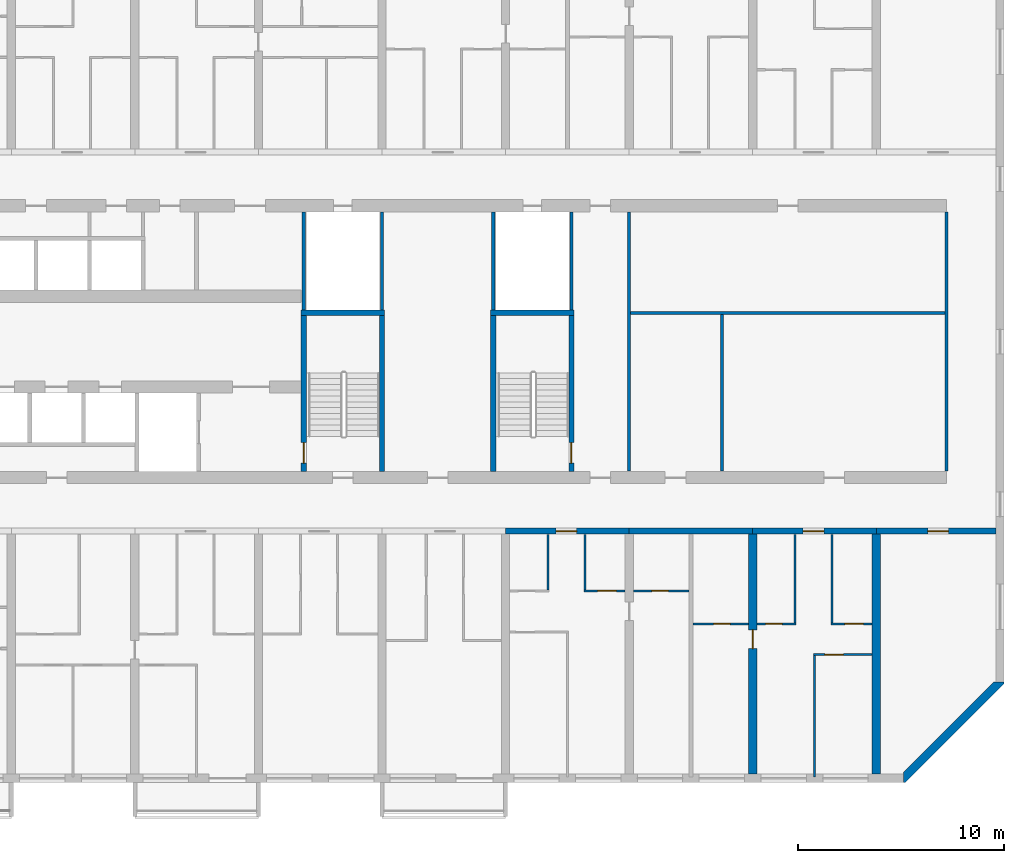
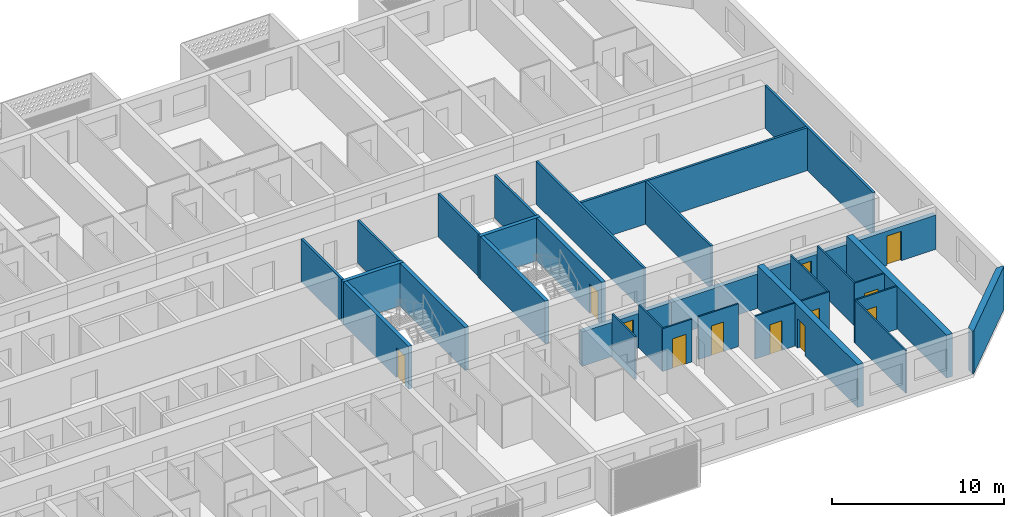
# One storey, part 17 of 44: 32 walls, 12 doors, 12 openings.
"""IFC4 building model written with IfcOpenShell, lengths in metres."""

import ifcopenshell
import ifcopenshell.guid

model = None  # the IFC model being written
_history = None  # IfcOwnerHistory: only IFC2X3 demands one
_inside = {}  # id of a spatial element -> (the spatial element, [elements in it])
_under = {}  # id of a project, library or spatial element -> (it, [spatial elements below it])
_declared = {}  # id of a project -> (the project, [libraries it declares])
_typed = {}  # id of a type object -> (the type object, [elements of that type])
_made_of = {}  # id of a material, layer set ... -> (it, [elements and type objects made of it])


def new_model(schema):
    """Start an empty IFC model of exactly this schema.

    Asked for "IFC4X3", IfcOpenShell would pick the latest addendum, in which some entities
    have other attributes; the version numbers below select the first issue.
    IFC2X3 requires an IfcOwnerHistory on every rooted entity: one is made here for all.
    """
    global model, _history
    if schema == "IFC4X3":
        model = ifcopenshell.file(schema_version=(4, 3, 0, 0))
    else:
        model = ifcopenshell.file(schema=schema)
    _inside.clear()
    _under.clear()
    _declared.clear()
    _typed.clear()
    _made_of.clear()
    _history = None
    if model.schema == "IFC2X3":
        org = make("IfcOrganization", Name="unknown")
        user = make(
            "IfcPersonAndOrganization",
            ThePerson=make("IfcPerson", FamilyName="unknown"),
            TheOrganization=org,
        )
        app = make(
            "IfcApplication",
            ApplicationDeveloper=org,
            Version="unknown",
            ApplicationFullName="unknown",
            ApplicationIdentifier="unknown",
        )
        _history = make(
            "IfcOwnerHistory",
            OwningUser=user,
            OwningApplication=app,
            ChangeAction="ADDED",
            CreationDate=0,
        )
    return model


def make(cls, **values):
    """One entity of the class cls with the attributes given. An attribute that is None is left unset."""
    return model.create_entity(
        cls, **{name: value for name, value in values.items() if value is not None}
    )


def rooted(cls, **values):
    """An entity with a GlobalId (a new one), such as an element, a storey or a relation."""
    return make(cls, GlobalId=ifcopenshell.guid.new(), OwnerHistory=_history, **values)


def si_unit(unit_type, name, prefix=None):
    """IfcSIUnit, for example si_unit("LENGTHUNIT", "METRE", prefix="MILLI")."""
    return make("IfcSIUnit", UnitType=unit_type, Prefix=prefix, Name=name)


def assignment(units):
    """IfcUnitAssignment: the units of a project."""
    return None if units is None else make("IfcUnitAssignment", Units=units)


def point(xyz):
    """IfcCartesianPoint."""
    return None if xyz is None else make("IfcCartesianPoint", Coordinates=xyz)


def direction(xyz):
    """IfcDirection."""
    return None if xyz is None else make("IfcDirection", DirectionRatios=xyz)


def frame(location, z_axis=None, x_axis=None):
    """IfcAxis2Placement3D, a coordinate frame: its origin and axes. An axis left out is left unset."""
    return make(
        "IfcAxis2Placement3D",
        Location=point(location),
        Axis=direction(z_axis),
        RefDirection=direction(x_axis),
    )


def frame_2d(location, x_axis=None):
    """IfcAxis2Placement2D, a coordinate frame in the plane: its origin and x axis."""
    return make(
        "IfcAxis2Placement2D", Location=point(location), RefDirection=direction(x_axis)
    )


def origin():
    """The frame at (0, 0, 0) with its axes left unset."""
    return frame((0.0, 0.0, 0.0))


def place(relative_to, where):
    """IfcLocalPlacement: puts the frame where relative to a parent placement (None: the world)."""
    return make(
        "IfcLocalPlacement", PlacementRelTo=relative_to, RelativePlacement=where
    )


def context(
    kind, dimensions, precision=None, world=None, true_north=None, identifier=None
):
    """IfcGeometricRepresentationContext, for example the 3D "Model" context."""
    return make(
        "IfcGeometricRepresentationContext",
        ContextIdentifier=identifier,
        ContextType=kind,
        CoordinateSpaceDimension=dimensions,
        Precision=precision,
        WorldCoordinateSystem=world,
        TrueNorth=true_north,
    )


def subcontext(parent, identifier, kind, view, scale=None):
    """IfcGeometricRepresentationSubContext, for example "Body" below "Model"."""
    return make(
        "IfcGeometricRepresentationSubContext",
        ContextIdentifier=identifier,
        ContextType=kind,
        ParentContext=parent,
        TargetScale=scale,
        TargetView=view,
    )


def project(units=None, contexts=None):
    """IfcProject with its units and contexts."""
    return rooted(
        "IfcProject",
        Name="project",
        RepresentationContexts=contexts,
        UnitsInContext=assignment(units),
    )


def spatial(cls, under=None, at=None, **own):
    """A site, building, storey or space (cls), placed at a placement, below another one or the project."""
    s = rooted(cls, ObjectPlacement=at, **own)
    if under is not None:
        _under.setdefault(under.id(), (under, []))[1].append(s)
    return s


def polyline(points):
    """IfcPolyline through the points."""
    return make("IfcPolyline", Points=[point(p) for p in points])


def profile(cls, at=None, kind="AREA", **sizes):
    """A parametric profile (cls). Its sizes go by their IFC names, for example OverallWidth=200.0."""
    return make(cls, ProfileType=kind, Position=at, **sizes)


def rectangle(**sizes):
    """IfcRectangleProfileDef."""
    return profile("IfcRectangleProfileDef", **sizes)


def outline(outer, holes=None, kind="AREA"):
    """IfcArbitraryClosedProfileDef: a profile drawn as a closed curve; with holes, ...WithVoids."""
    if holes is None:
        return make("IfcArbitraryClosedProfileDef", ProfileType=kind, OuterCurve=outer)
    return make(
        "IfcArbitraryProfileDefWithVoids",
        ProfileType=kind,
        OuterCurve=outer,
        InnerCurves=holes,
    )


def extrude(swept, where, along, depth):
    """IfcExtrudedAreaSolid: the profile swept, set in the frame where, extruded along a direction by depth."""
    return make(
        "IfcExtrudedAreaSolid",
        SweptArea=swept,
        Position=where,
        ExtrudedDirection=direction(along),
        Depth=depth,
    )


def shape(context_of_items, identifier, shape_type, items):
    """IfcShapeRepresentation: the items that make up one representation, for example the "Body"."""
    return make(
        "IfcShapeRepresentation",
        ContextOfItems=context_of_items,
        RepresentationIdentifier=identifier,
        RepresentationType=shape_type,
        Items=items,
    )


def material(Name=None, Category=None):
    """IfcMaterial."""
    return make("IfcMaterial", Name=Name, Category=Category)


def layer(
    of_material, thickness, ventilated=None, Name=None, Category=None, Priority=None
):
    """IfcMaterialLayer: one layer of a wall or slab, of a material (None: an air gap)."""
    return make(
        "IfcMaterialLayer",
        Material=of_material,
        LayerThickness=thickness,
        IsVentilated=ventilated,
        Name=Name,
        Category=Category,
        Priority=Priority,
    )


def layer_set(layers, Name=None):
    """IfcMaterialLayerSet."""
    return make("IfcMaterialLayerSet", MaterialLayers=layers, LayerSetName=Name)


def made_of(thing, what):
    """Note that an element or type object is made of a material, layer set ...; save() writes the relation."""
    if what is not None:
        _made_of.setdefault(what.id(), (what, []))[1].append(thing)
    return thing


def type_object(cls, material=None, **own):
    """A type object (cls), such as IfcWallType, which elements share."""
    return made_of(rooted(cls, **own), material)


def element(
    cls,
    number,
    at=None,
    inside=None,
    cuts=None,
    type_object=None,
    material=None,
    context=None,
    identifier="Body",
    shape_type=None,
    held_by="IfcProductDefinitionShape",
    body=None,
    shapes=None,
    **own,
):
    """One element of the class cls, such as IfcWall. Its Tag is "e" and its number.

    at: its placement. inside: the storey or other place that contains it. cuts: it is an
    opening in that element (IfcRelVoidsElement). A single representation is given by context,
    identifier, shape_type and body (its items); several are given by shapes. held_by: the class
    of the entity that holds the representations. save() writes the other relations.
    """
    e = rooted(cls, Tag="e%d" % number, ObjectPlacement=at, **own)
    if body is not None:
        shapes = [shape(context, identifier, shape_type, body)]
    if shapes is not None:
        e.Representation = make(held_by, Representations=shapes)
    if inside is not None:
        _inside.setdefault(inside.id(), (inside, []))[1].append(e)
    if cuts is not None:
        rooted(
            "IfcRelVoidsElement", RelatingBuildingElement=cuts, RelatedOpeningElement=e
        )
    if type_object is not None:
        _typed.setdefault(type_object.id(), (type_object, []))[1].append(e)
    return made_of(e, material)


def fill(opening, filler):
    """IfcRelFillsElement: the door or window that sits in an opening."""
    return rooted(
        "IfcRelFillsElement",
        RelatingOpeningElement=opening,
        RelatedBuildingElement=filler,
    )


def aggregate(whole, parts):
    """IfcRelAggregates: a whole, such as a stair, and the parts it consists of."""
    return rooted("IfcRelAggregates", RelatingObject=whole, RelatedObjects=parts)


def save(model, path):
    """Write the relations noted so far, then the file.

    IfcRelAggregates (storeys below a building ...), IfcRelContainedInSpatialStructure (elements
    in a storey), IfcRelDefinesByType, IfcRelAssociatesMaterial and IfcRelDeclares: one each for
    every whole, place, type object, material and project.
    """
    for whole, parts in _under.values():
        aggregate(whole, parts)
    for where, things in _inside.values():
        rooted(
            "IfcRelContainedInSpatialStructure",
            RelatedElements=things,
            RelatingStructure=where,
        )
    for kind, things in _typed.values():
        rooted("IfcRelDefinesByType", RelatedObjects=things, RelatingType=kind)
    for what, things in _made_of.values():
        rooted("IfcRelAssociatesMaterial", RelatedObjects=things, RelatingMaterial=what)
    for by, libraries in _declared.values():
        rooted("IfcRelDeclares", RelatingContext=by, RelatedDefinitions=libraries)
    model.write(path)


model = new_model("IFC4")

# Units and contexts
model_context = context("Model", 3, precision=1e-05, world=origin(), true_north=direction((0.0, 1.0)))
body_context = subcontext(model_context, "Body", "Model", "MODEL_VIEW")
ifc_project = project(units=[si_unit("LENGTHUNIT", "METRE"), si_unit("AREAUNIT", "SQUARE_METRE"), si_unit("VOLUMEUNIT", "CUBIC_METRE"), si_unit("PLANEANGLEUNIT", "RADIAN"), si_unit("MASSUNIT", "GRAM", prefix="KILO")], contexts=[model_context])

# Site, building, storey
site_placement = place(None, origin())
site = spatial("IfcSite", under=ifc_project, at=site_placement, CompositionType="ELEMENT")
building_placement = place(site_placement, origin())
building = spatial("IfcBuilding", under=site, at=building_placement, Name="Poui Terraces", CompositionType="ELEMENT")
storey_placement = place(building_placement, frame((0.0, 0.0, 30.0)))
storey = spatial("IfcBuildingStorey", under=building, at=storey_placement, Name="L07", CompositionType="ELEMENT", Elevation=30.0)

# Walls
ifc_material_1 = material(Name="Fire-rated plasterboard wall")
ifc_layer_1 = layer(ifc_material_1, 0.14990234375)
ifc_layer_set_1 = layer_set([ifc_layer_1], Name="Fire-rated plasterboard wall")
wall_type_1 = type_object("IfcWallType", Name="CORRIDOR WALL 150", PredefinedType="PARTITIONING", material=ifc_layer_set_1)
for number, where, z_axis, x_axis, name in (
    (1, (84.0, 14.909912109375, 0.0), (0.0, 0.0, 1.0), (0.0, 1.0, 0.0), "CORRIDOR WALL 150"),
    (2, (99.39990234375, 14.909912109375, 0.0), (0.0, 0.0, 1.0), (0.0, 1.0, 0.0), "CORRIDOR WALL 150"),
):
    element("IfcWall", number, at=place(storey_placement, frame(where, z_axis=z_axis, x_axis=x_axis)), inside=storey, type_object=wall_type_1, Name=name, PredefinedType="PARTITIONING", context=body_context, shape_type="SweptSolid", body=[
        extrude(rectangle(XDim=12.580078125, YDim=0.14990234375, at=frame_2d((6.2900390625, 0.0))), origin(), (0.0, 0.0, 1.0), 3.050048828125),
    ])

# Wall, opening, door
ifc_material_2 = material(Name="Concrete 80 MPa", Category="concrete")
ifc_layer_2 = layer(ifc_material_2, 0.300048828125)
ifc_layer_set_2 = layer_set([ifc_layer_2], Name="Concrete 80 MPa")
wall_type_2 = type_object("IfcWallType", Name="CORRIDOR WALL 300 80MPa", PredefinedType="SHEAR", material=ifc_layer_set_2)
wall_1_placement = place(storey_placement, frame((78.0, 12.0, 0.0), z_axis=(0.0, 0.0, 1.0), x_axis=(1.0, 0.0, 0.0)))
wall_1 = element("IfcWall", 3, at=wall_1_placement, inside=storey, type_object=wall_type_2, Name="CORRIDOR WALL LINE B BAY 14", PredefinedType="SHEAR", context=body_context, shape_type="SweptSolid", body=[
    extrude(rectangle(XDim=6.0, YDim=0.300048828125, at=frame_2d((3.0, 0.0))), origin(), (0.0, 0.0, 1.0), 2.449951171875),
])
opening_1_placement = place(wall_1_placement, frame((2.449951171875, 0.0, 0.0)))
opening_1 = element("IfcOpeningElement", 4, at=opening_1_placement, cuts=wall_1, Name="Opening FD30S", PredefinedType="OPENING", context=body_context, shape_type="SweptSolid", body=[
    extrude(rectangle(XDim=1.0, YDim=2.10009765625, at=frame_2d((0.5, 1.050048828125))), frame((0.0, 0.16015625, 0.0), z_axis=(0.0, -1.0, 0.0), x_axis=(1.0, 0.0, 0.0)), (0.0, 0.0, 1.0), 0.320068359375),
])
ifc_material_3 = material(Name="Steel fire door", Category="steel")
door_type_1 = type_object("IfcDoorType", Name="FLAT ENTRANCE DOOR 1000 X 2100", OperationType="NOTDEFINED", PredefinedType="DOOR", material=ifc_material_3)
door_1_placement = place(opening_1_placement, frame((1.0, 0.0, 0.0), z_axis=(0.0, 0.0, 1.0), x_axis=(-1.0, 0.0, 0.0)))
door_1 = element("IfcDoor", 5, at=door_1_placement, inside=storey, type_object=door_type_1, Name="FLAT ENTRANCE DOOR 141", OperationType="SINGLE_SWING_RIGHT", OverallHeight=2.10009765625, OverallWidth=1.0, PredefinedType="DOOR", context=body_context, shape_type="SweptSolid", body=[
    extrude(rectangle(XDim=1.0, YDim=2.10009765625, at=frame_2d((0.5, 1.050048828125))), frame((0.0, 0.02490234375, 0.0), z_axis=(0.0, -1.0, 0.0), x_axis=(1.0, 0.0, 0.0)), (0.0, 0.0, 1.0), 0.050048828125),
])
fill(opening_1, door_1)

# Wall
wall_2_placement = place(storey_placement, frame((84.0, 12.0, 0.0), z_axis=(0.0, 0.0, 1.0), x_axis=(1.0, 0.0, 0.0)))
element("IfcWall", 6, at=wall_2_placement, inside=storey, type_object=wall_type_2, Name="CORRIDOR WALL LINE B BAY 15", PredefinedType="SHEAR", context=body_context, shape_type="SweptSolid", body=[
    extrude(rectangle(XDim=6.0, YDim=0.300048828125, at=frame_2d((3.0, 0.0))), origin(), (0.0, 0.0, 1.0), 2.449951171875),
])

# Wall, opening, door
wall_3_placement = place(storey_placement, frame((90.0, 12.0, 0.0), z_axis=(0.0, 0.0, 1.0), x_axis=(1.0, 0.0, 0.0)))
wall_3 = element("IfcWall", 7, at=wall_3_placement, inside=storey, type_object=wall_type_2, Name="CORRIDOR WALL LINE B BAY 16", PredefinedType="SHEAR", context=body_context, shape_type="SweptSolid", body=[
    extrude(rectangle(XDim=6.0, YDim=0.300048828125, at=frame_2d((3.0, 0.0))), origin(), (0.0, 0.0, 1.0), 2.449951171875),
])
opening_2_placement = place(wall_3_placement, frame((2.449951171875, 0.0, 0.0)))
opening_2 = element("IfcOpeningElement", 8, at=opening_2_placement, cuts=wall_3, Name="Opening FD30S", PredefinedType="OPENING", context=body_context, shape_type="SweptSolid", body=[
    extrude(rectangle(XDim=1.0, YDim=2.10009765625, at=frame_2d((0.5, 1.050048828125))), frame((0.0, 0.16015625, 0.0), z_axis=(0.0, -1.0, 0.0), x_axis=(1.0, 0.0, 0.0)), (0.0, 0.0, 1.0), 0.320068359375),
])
door_2_placement = place(opening_2_placement, frame((1.0, 0.0, 0.0), z_axis=(0.0, 0.0, 1.0), x_axis=(-1.0, 0.0, 0.0)))
door_2 = element("IfcDoor", 9, at=door_2_placement, inside=storey, type_object=door_type_1, Name="FLAT ENTRANCE DOOR 147", OperationType="SINGLE_SWING_RIGHT", OverallHeight=2.10009765625, OverallWidth=1.0, PredefinedType="DOOR", context=body_context, shape_type="SweptSolid", body=[
    extrude(rectangle(XDim=1.0, YDim=2.10009765625, at=frame_2d((0.5, 1.050048828125))), frame((0.0, 0.02490234375, 0.0), z_axis=(0.0, -1.0, 0.0), x_axis=(1.0, 0.0, 0.0)), (0.0, 0.0, 1.0), 0.050048828125),
])
fill(opening_2, door_2)

wall_4_placement = place(storey_placement, frame((96.0, 12.0, 0.0), z_axis=(0.0, 0.0, 1.0), x_axis=(1.0, 0.0, 0.0)))
wall_4 = element("IfcWall", 10, at=wall_4_placement, inside=storey, type_object=wall_type_2, Name="CORRIDOR WALL LINE B BAY 17", PredefinedType="SHEAR", context=body_context, shape_type="SweptSolid", body=[
    extrude(rectangle(XDim=5.800048828125, YDim=0.300048828125, at=frame_2d((2.89990234375, 0.0))), origin(), (0.0, 0.0, 1.0), 2.449951171875),
])
opening_3_placement = place(wall_4_placement, frame((2.5, 0.0, 0.0)))
opening_3 = element("IfcOpeningElement", 11, at=opening_3_placement, cuts=wall_4, Name="Opening D100", PredefinedType="OPENING", context=body_context, shape_type="SweptSolid", body=[
    extrude(rectangle(XDim=1.0, YDim=2.10009765625, at=frame_2d((0.5, 1.050048828125))), frame((0.0, 0.16015625, 0.0), z_axis=(0.0, -1.0, 0.0), x_axis=(1.0, 0.0, 0.0)), (0.0, 0.0, 1.0), 0.320068359375),
])
ifc_material_4 = material(Name="Solid core timber door", Category="wood")
door_type_2 = type_object("IfcDoorType", Name="ACCESSIBLE INTERNAL DOOR 1000 X 2100", OperationType="NOTDEFINED", PredefinedType="DOOR", material=ifc_material_4)
door_3_placement = place(opening_3_placement, frame((1.0, 0.0, 0.0), z_axis=(0.0, 0.0, 1.0), x_axis=(-1.0, 0.0, 0.0)))
door_3 = element("IfcDoor", 12, at=door_3_placement, inside=storey, type_object=door_type_2, Name="ACCESSIBLE INTERNAL DOOR 150", OperationType="SINGLE_SWING_RIGHT", OverallHeight=2.10009765625, OverallWidth=1.0, PredefinedType="DOOR", context=body_context, shape_type="SweptSolid", body=[
    extrude(rectangle(XDim=1.0, YDim=2.10009765625, at=frame_2d((0.5, 1.050048828125))), frame((0.0, 0.02490234375, 0.0), z_axis=(0.0, -1.0, 0.0), x_axis=(1.0, 0.0, 0.0)), (0.0, 0.0, 1.0), 0.050048828125),
])
fill(opening_3, door_3)

ifc_layer_3 = layer(ifc_material_2, 0.39990234375)
ifc_layer_set_3 = layer_set([ifc_layer_3], Name="Concrete 80 MPa")
wall_type_3 = type_object("IfcWallType", Name="CROSS WALL 400 80MPa", PredefinedType="SHEAR", material=ifc_layer_set_3)
wall_5_placement = place(storey_placement, frame((90.0, 0.199951171875, 0.0), z_axis=(0.0, 0.0, 1.0), x_axis=(0.0, 1.0, 0.0)))
wall_5 = element("IfcWall", 13, at=wall_5_placement, inside=storey, type_object=wall_type_3, Name="CROSS WALL LINE 16 SOUTH", PredefinedType="SHEAR", context=body_context, shape_type="SweptSolid", body=[
    extrude(rectangle(XDim=11.650146484375, YDim=0.39990234375, at=frame_2d((5.8251953125, 0.0))), origin(), (0.0, 0.0, 1.0), 3.050048828125),
])
opening_4_placement = place(wall_5_placement, frame((6.10009765625, 0.0, 0.0)))
opening_4 = element("IfcOpeningElement", 14, at=opening_4_placement, cuts=wall_5, Name="Opening D90", PredefinedType="OPENING", context=body_context, shape_type="SweptSolid", body=[
    extrude(rectangle(XDim=0.89990234375, YDim=2.10009765625, at=frame_2d((0.449951171875, 1.050048828125))), frame((0.0, 0.2099609375, 0.0), z_axis=(0.0, -1.0, 0.0), x_axis=(1.0, 0.0, 0.0)), (0.0, 0.0, 1.0), 0.419921875),
])
door_type_3 = type_object("IfcDoorType", Name="INTERNAL DOOR 900 X 2100", OperationType="NOTDEFINED", PredefinedType="DOOR", material=ifc_material_4)
door_4_placement = place(opening_4_placement, origin())
door_4 = element("IfcDoor", 15, at=door_4_placement, inside=storey, type_object=door_type_3, Name="INTERNAL DOOR 145", OperationType="SINGLE_SWING_RIGHT", OverallHeight=2.10009765625, OverallWidth=0.89990234375, PredefinedType="DOOR", context=body_context, shape_type="SweptSolid", body=[
    extrude(rectangle(XDim=0.89990234375, YDim=2.10009765625, at=frame_2d((0.449951171875, 1.050048828125))), frame((0.0, 0.02490234375, 0.0), z_axis=(0.0, -1.0, 0.0), x_axis=(1.0, 0.0, 0.0)), (0.0, 0.0, 1.0), 0.050048828125),
])
fill(opening_4, door_4)

# Wall
wall_6_placement = place(storey_placement, frame((96.0, 0.199951171875, 0.0), z_axis=(0.0, 0.0, 1.0), x_axis=(0.0, 1.0, 0.0)))
element("IfcWall", 16, at=wall_6_placement, inside=storey, type_object=wall_type_3, Name="CROSS WALL LINE 17 SOUTH", PredefinedType="SHEAR", context=body_context, shape_type="SweptSolid", body=[
    extrude(rectangle(XDim=11.650146484375, YDim=0.39990234375, at=frame_2d((5.8251953125, 0.0))), origin(), (0.0, 0.0, 1.0), 3.050048828125),
])

# Wall, opening, door
ifc_material_5 = material(Name="Plasterboard partition")
ifc_layer_4 = layer(ifc_material_5, 0.10009765625)
ifc_layer_set_4 = layer_set([ifc_layer_4], Name="Plasterboard partition")
wall_type_4 = type_object("IfcWallType", Name="FLAT PARTITION 100", PredefinedType="PARTITIONING", material=ifc_layer_set_4)
wall_7_placement = place(storey_placement, frame((92.949951171875, 6.0, 0.0), z_axis=(0.0, 0.0, 1.0), x_axis=(1.0, 0.0, 0.0)))
wall_7 = element("IfcWall", 17, at=wall_7_placement, inside=storey, type_object=wall_type_4, Name="FLAT PARTITION 100", PredefinedType="PARTITIONING", context=body_context, shape_type="SweptSolid", body=[
    extrude(rectangle(XDim=2.840087890625, YDim=0.10009765625, at=frame_2d((1.419921875, 0.0))), origin(), (0.0, 0.0, 1.0), 3.050048828125),
])
opening_5_placement = place(wall_7_placement, frame((0.550048828125, 0.0, 0.0)))
opening_5 = element("IfcOpeningElement", 18, at=opening_5_placement, cuts=wall_7, Name="Opening D90", PredefinedType="OPENING", context=body_context, shape_type="SweptSolid", body=[
    extrude(rectangle(XDim=0.89990234375, YDim=2.10009765625, at=frame_2d((0.449951171875, 1.050048828125))), frame((0.0, 0.06005859375, 0.0), z_axis=(0.0, -1.0, 0.0), x_axis=(1.0, 0.0, 0.0)), (0.0, 0.0, 1.0), 0.1201171875),
])
door_5_placement = place(opening_5_placement, origin())
door_5 = element("IfcDoor", 19, at=door_5_placement, inside=storey, type_object=door_type_3, Name="INTERNAL DOOR 148", OperationType="SINGLE_SWING_RIGHT", OverallHeight=2.10009765625, OverallWidth=0.89990234375, PredefinedType="DOOR", context=body_context, shape_type="SweptSolid", body=[
    extrude(rectangle(XDim=0.89990234375, YDim=2.10009765625, at=frame_2d((0.449951171875, 1.050048828125))), frame((0.0, 0.02490234375, 0.0), z_axis=(0.0, -1.0, 0.0), x_axis=(1.0, 0.0, 0.0)), (0.0, 0.0, 1.0), 0.050048828125),
])
fill(opening_5, door_5)

wall_8_placement = place(storey_placement, frame((87.10009765625, 7.5, 0.0), z_axis=(0.0, 0.0, 1.0), x_axis=(1.0, 0.0, 0.0)))
wall_8 = element("IfcWall", 20, at=wall_8_placement, inside=storey, type_object=wall_type_4, Name="FLAT PARTITION 100", PredefinedType="PARTITIONING", context=body_context, shape_type="SweptSolid", body=[
    extrude(rectangle(XDim=2.68994140625, YDim=0.10009765625, at=frame_2d((1.344970703125, 0.0))), origin(), (0.0, 0.0, 1.0), 3.050048828125),
])
opening_6_placement = place(wall_8_placement, frame((1.0, 0.0, 0.0)))
opening_6 = element("IfcOpeningElement", 21, at=opening_6_placement, cuts=wall_8, Name="Opening D80", PredefinedType="OPENING", context=body_context, shape_type="SweptSolid", body=[
    extrude(rectangle(XDim=0.800048828125, YDim=2.10009765625, at=frame_2d((0.39990234375, 1.050048828125))), frame((0.0, 0.06005859375, 0.0), z_axis=(0.0, -1.0, 0.0), x_axis=(1.0, 0.0, 0.0)), (0.0, 0.0, 1.0), 0.1201171875),
])
door_type_4 = type_object("IfcDoorType", Name="BATHROOM, LAUNDRY AND STORE DOOR 800 X 2100", OperationType="NOTDEFINED", PredefinedType="DOOR", material=ifc_material_4)
door_6_placement = place(opening_6_placement, origin())
door_6 = element("IfcDoor", 22, at=door_6_placement, inside=storey, type_object=door_type_4, Name="BATHROOM, LAUNDRY AND STORE DOOR 144", OperationType="SINGLE_SWING_RIGHT", OverallHeight=2.10009765625, OverallWidth=0.800048828125, PredefinedType="DOOR", context=body_context, shape_type="SweptSolid", body=[
    extrude(rectangle(XDim=0.800048828125, YDim=2.10009765625, at=frame_2d((0.39990234375, 1.050048828125))), frame((0.0, 0.02490234375, 0.0), z_axis=(0.0, -1.0, 0.0), x_axis=(1.0, 0.0, 0.0)), (0.0, 0.0, 1.0), 0.050048828125),
])
fill(opening_6, door_6)

wall_9_placement = place(storey_placement, frame((90.2099609375, 7.5, 0.0), z_axis=(0.0, 0.0, 1.0), x_axis=(1.0, 0.0, 0.0)))
wall_9 = element("IfcWall", 23, at=wall_9_placement, inside=storey, type_object=wall_type_4, Name="FLAT PARTITION 100", PredefinedType="PARTITIONING", context=body_context, shape_type="SweptSolid", body=[
    extrude(rectangle(XDim=1.89013671875, YDim=0.10009765625, at=frame_2d((0.945068359375, 0.0))), origin(), (0.0, 0.0, 1.0), 3.050048828125),
])
opening_7_placement = place(wall_9_placement, frame((0.4150390625, 0.0, 0.0)))
opening_7 = element("IfcOpeningElement", 24, at=opening_7_placement, cuts=wall_9, Name="Opening D80", PredefinedType="OPENING", context=body_context, shape_type="SweptSolid", body=[
    extrude(rectangle(XDim=0.800048828125, YDim=2.10009765625, at=frame_2d((0.39990234375, 1.050048828125))), frame((0.0, 0.06005859375, 0.0), z_axis=(0.0, -1.0, 0.0), x_axis=(1.0, 0.0, 0.0)), (0.0, 0.0, 1.0), 0.1201171875),
])
door_7_placement = place(opening_7_placement, origin())
door_7 = element("IfcDoor", 25, at=door_7_placement, inside=storey, type_object=door_type_4, Name="BATHROOM, LAUNDRY AND STORE DOOR 146", OperationType="SINGLE_SWING_RIGHT", OverallHeight=2.10009765625, OverallWidth=0.800048828125, PredefinedType="DOOR", context=body_context, shape_type="SweptSolid", body=[
    extrude(rectangle(XDim=0.800048828125, YDim=2.10009765625, at=frame_2d((0.39990234375, 1.050048828125))), frame((0.0, 0.02490234375, 0.0), z_axis=(0.0, -1.0, 0.0), x_axis=(1.0, 0.0, 0.0)), (0.0, 0.0, 1.0), 0.050048828125),
])
fill(opening_7, door_7)

wall_10_placement = place(storey_placement, frame((93.800048828125, 7.5, 0.0), z_axis=(0.0, 0.0, 1.0), x_axis=(1.0, 0.0, 0.0)))
wall_10 = element("IfcWall", 26, at=wall_10_placement, inside=storey, type_object=wall_type_4, Name="FLAT PARTITION 100", PredefinedType="PARTITIONING", context=body_context, shape_type="SweptSolid", body=[
    extrude(rectangle(XDim=1.989990234375, YDim=0.10009765625, at=frame_2d((0.9951171875, 0.0))), origin(), (0.0, 0.0, 1.0), 3.050048828125),
])
opening_8_placement = place(wall_10_placement, frame((0.675048828125, 0.0, 0.0)))
opening_8 = element("IfcOpeningElement", 27, at=opening_8_placement, cuts=wall_10, Name="Opening D90", PredefinedType="OPENING", context=body_context, shape_type="SweptSolid", body=[
    extrude(rectangle(XDim=0.89990234375, YDim=2.10009765625, at=frame_2d((0.449951171875, 1.050048828125))), frame((0.0, 0.06005859375, 0.0), z_axis=(0.0, -1.0, 0.0), x_axis=(1.0, 0.0, 0.0)), (0.0, 0.0, 1.0), 0.1201171875),
])
door_8_placement = place(opening_8_placement, origin())
door_8 = element("IfcDoor", 28, at=door_8_placement, inside=storey, type_object=door_type_3, Name="INTERNAL DOOR 149", OperationType="SINGLE_SWING_LEFT", OverallHeight=2.10009765625, OverallWidth=0.89990234375, PredefinedType="DOOR", context=body_context, shape_type="SweptSolid", body=[
    extrude(rectangle(XDim=0.89990234375, YDim=2.10009765625, at=frame_2d((0.449951171875, 1.050048828125))), frame((0.0, 0.02490234375, 0.0), z_axis=(0.0, -1.0, 0.0), x_axis=(1.0, 0.0, 0.0)), (0.0, 0.0, 1.0), 0.050048828125),
])
fill(opening_8, door_8)

wall_11_placement = place(storey_placement, frame((81.800048828125, 9.10009765625, 0.0), z_axis=(0.0, 0.0, 1.0), x_axis=(1.0, 0.0, 0.0)))
wall_11 = element("IfcWall", 29, at=wall_11_placement, inside=storey, type_object=wall_type_4, Name="FLAT PARTITION 100", PredefinedType="PARTITIONING", context=body_context, shape_type="SweptSolid", body=[
    extrude(rectangle(XDim=1.989990234375, YDim=0.10009765625, at=frame_2d((0.9951171875, 0.0))), origin(), (0.0, 0.0, 1.0), 3.050048828125),
])
opening_9_placement = place(wall_11_placement, frame((0.675048828125, 0.0, 0.0)))
opening_9 = element("IfcOpeningElement", 30, at=opening_9_placement, cuts=wall_11, Name="Opening D90", PredefinedType="OPENING", context=body_context, shape_type="SweptSolid", body=[
    extrude(rectangle(XDim=0.89990234375, YDim=2.10009765625, at=frame_2d((0.449951171875, 1.050048828125))), frame((0.0, 0.06005859375, 0.0), z_axis=(0.0, -1.0, 0.0), x_axis=(1.0, 0.0, 0.0)), (0.0, 0.0, 1.0), 0.1201171875),
])
door_9_placement = place(opening_9_placement, origin())
door_9 = element("IfcDoor", 31, at=door_9_placement, inside=storey, type_object=door_type_3, Name="INTERNAL DOOR 142", OperationType="SINGLE_SWING_RIGHT", OverallHeight=2.10009765625, OverallWidth=0.89990234375, PredefinedType="DOOR", context=body_context, shape_type="SweptSolid", body=[
    extrude(rectangle(XDim=0.89990234375, YDim=2.10009765625, at=frame_2d((0.449951171875, 1.050048828125))), frame((0.0, 0.02490234375, 0.0), z_axis=(0.0, -1.0, 0.0), x_axis=(1.0, 0.0, 0.0)), (0.0, 0.0, 1.0), 0.050048828125),
])
fill(opening_9, door_9)

wall_12_placement = place(storey_placement, frame((84.2099609375, 9.10009765625, 0.0), z_axis=(0.0, 0.0, 1.0), x_axis=(1.0, 0.0, 0.0)))
wall_12 = element("IfcWall", 32, at=wall_12_placement, inside=storey, type_object=wall_type_4, Name="FLAT PARTITION 100", PredefinedType="PARTITIONING", context=body_context, shape_type="SweptSolid", body=[
    extrude(rectangle(XDim=2.68994140625, YDim=0.10009765625, at=frame_2d((1.344970703125, 0.0))), origin(), (0.0, 0.0, 1.0), 3.050048828125),
])
opening_10_placement = place(wall_12_placement, frame((0.889892578125, 0.0, 0.0)))
opening_10 = element("IfcOpeningElement", 33, at=opening_10_placement, cuts=wall_12, Name="Opening D80", PredefinedType="OPENING", context=body_context, shape_type="SweptSolid", body=[
    extrude(rectangle(XDim=0.800048828125, YDim=2.10009765625, at=frame_2d((0.39990234375, 1.050048828125))), frame((0.0, 0.06005859375, 0.0), z_axis=(0.0, -1.0, 0.0), x_axis=(1.0, 0.0, 0.0)), (0.0, 0.0, 1.0), 0.1201171875),
])
door_10_placement = place(opening_10_placement, origin())
door_10 = element("IfcDoor", 34, at=door_10_placement, inside=storey, type_object=door_type_4, Name="BATHROOM, LAUNDRY AND STORE DOOR 138", OperationType="SINGLE_SWING_LEFT", OverallHeight=2.10009765625, OverallWidth=0.800048828125, PredefinedType="DOOR", context=body_context, shape_type="SweptSolid", body=[
    extrude(rectangle(XDim=0.800048828125, YDim=2.10009765625, at=frame_2d((0.39990234375, 1.050048828125))), frame((0.0, 0.02490234375, 0.0), z_axis=(0.0, -1.0, 0.0), x_axis=(1.0, 0.0, 0.0)), (0.0, 0.0, 1.0), 0.050048828125),
])
fill(opening_10, door_10)

# Walls
for number, where, z_axis, x_axis, name in (
    (35, (80.050048828125, 9.14990234375, 0.0), (0.0, 0.0, 1.0), (0.0, 1.0, 0.0), "FLAT PARTITION 100"),
    (36, (81.85009765625, 9.14990234375, 0.0), (0.0, 0.0, 1.0), (0.0, 1.0, 0.0), "FLAT PARTITION 100"),
):
    element("IfcWall", number, at=place(storey_placement, frame(where, z_axis=z_axis, x_axis=x_axis)), inside=storey, type_object=wall_type_4, Name=name, PredefinedType="PARTITIONING", context=body_context, shape_type="SweptSolid", body=[
        extrude(rectangle(XDim=2.690185546875, YDim=0.10009765625, at=frame_2d((1.34521484375, 0.0))), origin(), (0.0, 0.0, 1.0), 3.050048828125),
    ])
wall_13_placement = place(storey_placement, frame((92.050048828125, 7.550048828125, 0.0), z_axis=(0.0, 0.0, 1.0), x_axis=(0.0, 1.0, 0.0)))
element("IfcWall", 37, at=wall_13_placement, inside=storey, type_object=wall_type_4, Name="FLAT PARTITION 100", PredefinedType="PARTITIONING", context=body_context, shape_type="SweptSolid", body=[
    extrude(rectangle(XDim=4.2900390625, YDim=0.10009765625, at=frame_2d((2.14501953125, 0.0))), origin(), (0.0, 0.0, 1.0), 3.050048828125),
])
wall_14_placement = place(storey_placement, frame((93.0, 0.06005859375, 0.0), z_axis=(0.0, 0.0, 1.0), x_axis=(0.0, 1.0, 0.0)))
element("IfcWall", 38, at=wall_14_placement, inside=storey, type_object=wall_type_4, Name="FLAT PARTITION 100", PredefinedType="PARTITIONING", context=body_context, shape_type="SweptSolid", body=[
    extrude(rectangle(XDim=5.889892578125, YDim=0.10009765625, at=frame_2d((2.94482421875, 0.0))), origin(), (0.0, 0.0, 1.0), 3.050048828125),
])
wall_15_placement = place(storey_placement, frame((93.85009765625, 7.550048828125, 0.0), z_axis=(0.0, 0.0, 1.0), x_axis=(0.0, 1.0, 0.0)))
element("IfcWall", 39, at=wall_15_placement, inside=storey, type_object=wall_type_4, Name="FLAT PARTITION 100", PredefinedType="PARTITIONING", context=body_context, shape_type="SweptSolid", body=[
    extrude(rectangle(XDim=4.2900390625, YDim=0.10009765625, at=frame_2d((2.14501953125, 0.0))), origin(), (0.0, 0.0, 1.0), 3.050048828125),
])
ifc_layer_5 = layer(ifc_material_5, 0.14990234375)
ifc_layer_set_5 = layer_set([ifc_layer_5], Name="Plasterboard partition")
wall_type_5 = type_object("IfcWallType", Name="PARTITION WALL 150", PredefinedType="PARTITIONING", material=ifc_layer_set_5)
wall_16_placement = place(storey_placement, frame((84.074951171875, 22.60009765625, 0.0), z_axis=(0.0, 0.0, 1.0), x_axis=(1.0, 0.0, 0.0)))
element("IfcWall", 40, at=wall_16_placement, inside=storey, type_object=wall_type_5, Name="PARTITION WALL 150", PredefinedType="PARTITIONING", context=body_context, shape_type="SweptSolid", body=[
    extrude(rectangle(XDim=15.25, YDim=0.14990234375, at=frame_2d((7.625, 0.0))), origin(), (0.0, 0.0, 1.0), 3.050048828125),
])
wall_17_placement = place(storey_placement, frame((88.5, 14.909912109375, 0.0), z_axis=(0.0, 0.0, 1.0), x_axis=(0.0, 1.0, 0.0)))
element("IfcWall", 41, at=wall_17_placement, inside=storey, type_object=wall_type_5, Name="PARTITION WALL 150", PredefinedType="PARTITIONING", context=body_context, shape_type="SweptSolid", body=[
    extrude(rectangle(XDim=7.614990234375, YDim=0.14990234375, at=frame_2d((3.8076171875, 0.0))), origin(), (0.0, 0.0, 1.0), 3.050048828125),
])
ifc_material_6 = material(Name="Fire-rated plasterboard riser wall")
ifc_layer_6 = layer(ifc_material_6, 0.14990234375)
ifc_layer_set_6 = layer_set([ifc_layer_6], Name="Fire-rated plasterboard riser wall")
wall_type_6 = type_object("IfcWallType", Name="RISER WALL 150", PredefinedType="PARTITIONING", material=ifc_layer_set_6)
for number, where, z_axis, x_axis, name in (
    (42, (68.199951171875, 22.735107421875, 0.0), (0.0, 0.0, 1.0), (0.0, 1.0, 0.0), "RISER WALL 150"),
    (43, (72.0, 22.735107421875, 0.0), (0.0, 0.0, 1.0), (0.0, 1.0, 0.0), "RISER WALL 150"),
    (44, (77.39990234375, 22.735107421875, 0.0), (0.0, 0.0, 1.0), (0.0, 1.0, 0.0), "RISER WALL 150"),
    (45, (81.199951171875, 22.735107421875, 0.0), (0.0, 0.0, 1.0), (0.0, 1.0, 0.0), "RISER WALL 150"),
):
    element("IfcWall", number, at=place(storey_placement, frame(where, z_axis=z_axis, x_axis=x_axis)), inside=storey, type_object=wall_type_6, Name=name, PredefinedType="PARTITIONING", context=body_context, shape_type="SweptSolid", body=[
        extrude(rectangle(XDim=4.7548828125, YDim=0.14990234375, at=frame_2d((2.37744140625, 0.0))), origin(), (0.0, 0.0, 1.0), 3.050048828125),
    ])

# Wall, opening, door
ifc_layer_7 = layer(ifc_material_2, 0.25)
ifc_layer_set_7 = layer_set([ifc_layer_7], Name="Concrete 80 MPa")
wall_type_7 = type_object("IfcWallType", Name="STAIR CORE WALL 250 80 MPA", PredefinedType="SOLIDWALL", material=ifc_layer_set_7)
wall_18_placement = place(storey_placement, frame((68.199951171875, 14.89990234375, 0.0), z_axis=(0.0, 0.0, 1.0), x_axis=(0.0, 1.0, 0.0)))
wall_18 = element("IfcWall", 46, at=wall_18_placement, inside=storey, type_object=wall_type_7, Name="STAIR CORE WALL", PredefinedType="SOLIDWALL", context=body_context, shape_type="SweptSolid", body=[
    extrude(rectangle(XDim=7.5751953125, YDim=0.25, at=frame_2d((3.78759765625, 0.0))), origin(), (0.0, 0.0, 1.0), 3.050048828125),
])
opening_11_placement = place(wall_18_placement, frame((0.39990234375, 0.0, 0.0)))
opening_11 = element("IfcOpeningElement", 47, at=opening_11_placement, cuts=wall_18, Name="Opening FD60S", PredefinedType="OPENING", context=body_context, shape_type="SweptSolid", body=[
    extrude(rectangle(XDim=1.0, YDim=2.10009765625, at=frame_2d((0.5, 1.050048828125))), frame((0.0, 0.135009765625, 0.0), z_axis=(0.0, -1.0, 0.0), x_axis=(1.0, 0.0, 0.0)), (0.0, 0.0, 1.0), 0.27001953125),
])
door_type_5 = type_object("IfcDoorType", Name="STAIR DOOR 1000 X 2100", OperationType="NOTDEFINED", PredefinedType="DOOR", material=ifc_material_3)
door_11_placement = place(opening_11_placement, frame((1.0, 0.0, 0.0), z_axis=(0.0, 0.0, 1.0), x_axis=(-1.0, 0.0, 0.0)))
door_11 = element("IfcDoor", 48, at=door_11_placement, inside=storey, type_object=door_type_5, Name="STAIR DOOR 152", OperationType="SINGLE_SWING_LEFT", OverallHeight=2.10009765625, OverallWidth=1.0, PredefinedType="DOOR", context=body_context, shape_type="SweptSolid", body=[
    extrude(rectangle(XDim=1.0, YDim=2.10009765625, at=frame_2d((0.5, 1.050048828125))), frame((0.0, 0.02490234375, 0.0), z_axis=(0.0, -1.0, 0.0), x_axis=(1.0, 0.0, 0.0)), (0.0, 0.0, 1.0), 0.050048828125),
])
fill(opening_11, door_11)

# Walls
wall_19_placement = place(storey_placement, frame((72.0, 14.89990234375, 0.0), z_axis=(0.0, 0.0, 1.0), x_axis=(0.0, 1.0, 0.0)))
element("IfcWall", 49, at=wall_19_placement, inside=storey, type_object=wall_type_7, Name="STAIR CORE WALL", PredefinedType="SOLIDWALL", context=body_context, shape_type="SweptSolid", body=[
    extrude(rectangle(XDim=7.5751953125, YDim=0.25, at=frame_2d((3.78759765625, 0.0))), origin(), (0.0, 0.0, 1.0), 3.050048828125),
])
wall_20_placement = place(storey_placement, frame((68.074951171875, 22.60009765625, 0.0), z_axis=(0.0, 0.0, 1.0), x_axis=(1.0, 0.0, 0.0)))
element("IfcWall", 50, at=wall_20_placement, inside=storey, type_object=wall_type_7, Name="STAIR CORE WALL", PredefinedType="SOLIDWALL", context=body_context, shape_type="SweptSolid", body=[
    extrude(rectangle(XDim=4.050048828125, YDim=0.25, at=frame_2d((2.02490234375, 0.0))), origin(), (0.0, 0.0, 1.0), 3.050048828125),
])
wall_21_placement = place(storey_placement, frame((77.39990234375, 14.89990234375, 0.0), z_axis=(0.0, 0.0, 1.0), x_axis=(0.0, 1.0, 0.0)))
element("IfcWall", 51, at=wall_21_placement, inside=storey, type_object=wall_type_7, Name="STAIR CORE WALL", PredefinedType="SOLIDWALL", context=body_context, shape_type="SweptSolid", body=[
    extrude(rectangle(XDim=7.5751953125, YDim=0.25, at=frame_2d((3.78759765625, 0.0))), origin(), (0.0, 0.0, 1.0), 3.050048828125),
])

# Wall, opening, door
wall_22_placement = place(storey_placement, frame((81.199951171875, 14.89990234375, 0.0), z_axis=(0.0, 0.0, 1.0), x_axis=(0.0, 1.0, 0.0)))
wall_22 = element("IfcWall", 52, at=wall_22_placement, inside=storey, type_object=wall_type_7, Name="STAIR CORE WALL", PredefinedType="SOLIDWALL", context=body_context, shape_type="SweptSolid", body=[
    extrude(rectangle(XDim=7.5751953125, YDim=0.25, at=frame_2d((3.78759765625, 0.0))), origin(), (0.0, 0.0, 1.0), 3.050048828125),
])
opening_12_placement = place(wall_22_placement, frame((0.39990234375, 0.0, 0.0)))
opening_12 = element("IfcOpeningElement", 53, at=opening_12_placement, cuts=wall_22, Name="Opening FD60S", PredefinedType="OPENING", context=body_context, shape_type="SweptSolid", body=[
    extrude(rectangle(XDim=1.0, YDim=2.10009765625, at=frame_2d((0.5, 1.050048828125))), frame((0.0, 0.135009765625, 0.0), z_axis=(0.0, -1.0, 0.0), x_axis=(1.0, 0.0, 0.0)), (0.0, 0.0, 1.0), 0.27001953125),
])
door_12_placement = place(opening_12_placement, origin())
door_12 = element("IfcDoor", 54, at=door_12_placement, inside=storey, type_object=door_type_5, Name="STAIR DOOR 166", OperationType="SINGLE_SWING_LEFT", OverallHeight=2.10009765625, OverallWidth=1.0, PredefinedType="DOOR", context=body_context, shape_type="SweptSolid", body=[
    extrude(rectangle(XDim=1.0, YDim=2.10009765625, at=frame_2d((0.5, 1.050048828125))), frame((0.0, 0.02490234375, 0.0), z_axis=(0.0, -1.0, 0.0), x_axis=(1.0, 0.0, 0.0)), (0.0, 0.0, 1.0), 0.050048828125),
])
fill(opening_12, door_12)

# Walls
wall_23_placement = place(storey_placement, frame((77.27490234375, 22.60009765625, 0.0), z_axis=(0.0, 0.0, 1.0), x_axis=(1.0, 0.0, 0.0)))
element("IfcWall", 55, at=wall_23_placement, inside=storey, type_object=wall_type_7, Name="STAIR CORE WALL", PredefinedType="SOLIDWALL", context=body_context, shape_type="SweptSolid", body=[
    extrude(rectangle(XDim=4.050048828125, YDim=0.25, at=frame_2d((2.02490234375, 0.0))), origin(), (0.0, 0.0, 1.0), 3.050048828125),
])
ifc_material_7 = material(Name="Precast concrete 40 MPa", Category="concrete")
ifc_layer_8 = layer(ifc_material_7, 0.39990234375)
ifc_layer_set_8 = layer_set([ifc_layer_8], Name="Precast concrete 40 MPa")
wall_type_8 = type_object("IfcWallType", Name="TERRACOTTA CLAD CHAMFER WALL 400", PredefinedType="STANDARD", material=ifc_layer_set_8)
wall_24_placement = place(storey_placement, origin())
element("IfcWall", 56, at=wall_24_placement, inside=storey, type_object=wall_type_8, Name="CHAMFER WALL CH01", PredefinedType="STANDARD", context=body_context, shape_type="SweptSolid", body=[
    extrude(outline(polyline([(97.317138671875, -0.199951171875), (97.39990234375, -0.199951171875), (102.199951171875, 4.60009765625), (102.199951171875, 4.682861328125), (101.71728515625, 4.682861328125), (97.317138671875, 0.28271484375), (97.317138671875, -0.199951171875)])), origin(), (0.0, 0.0, 1.0), 3.050048828125),
])

save(model, "model.ifc")
